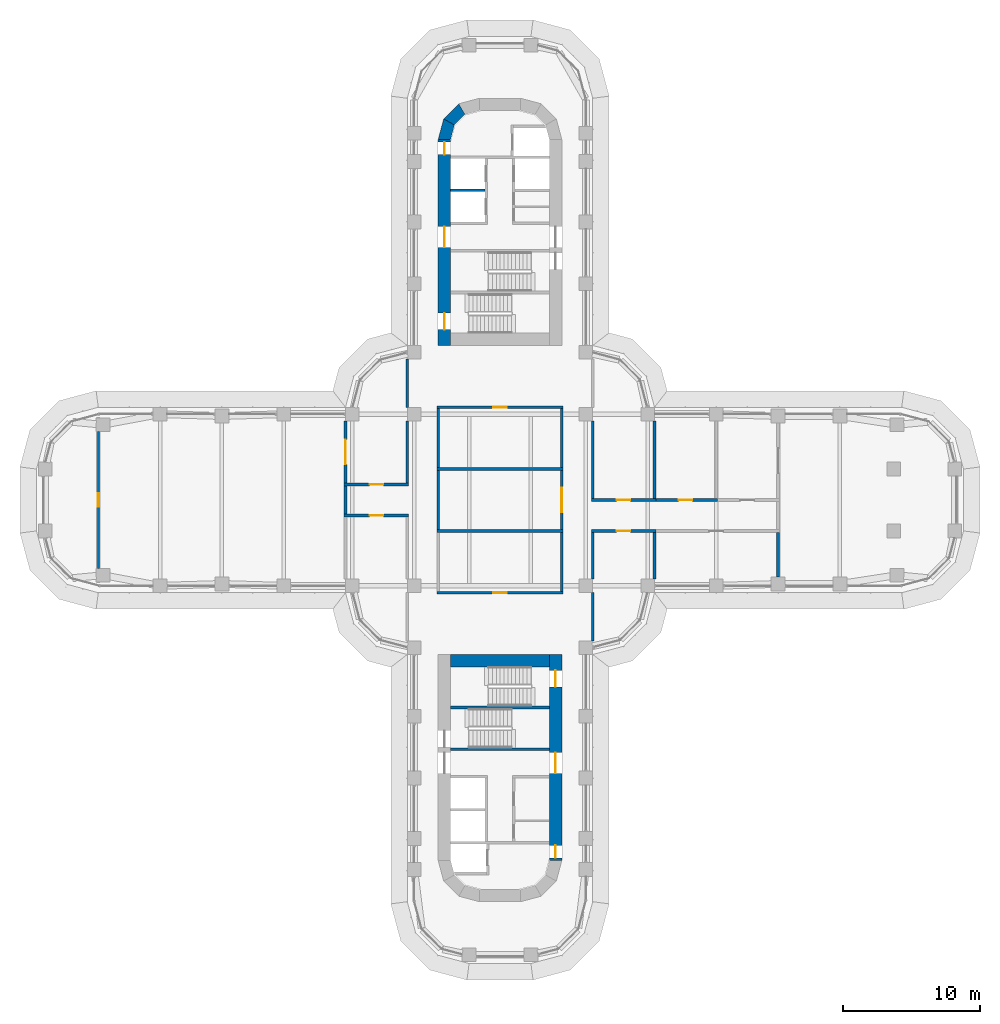
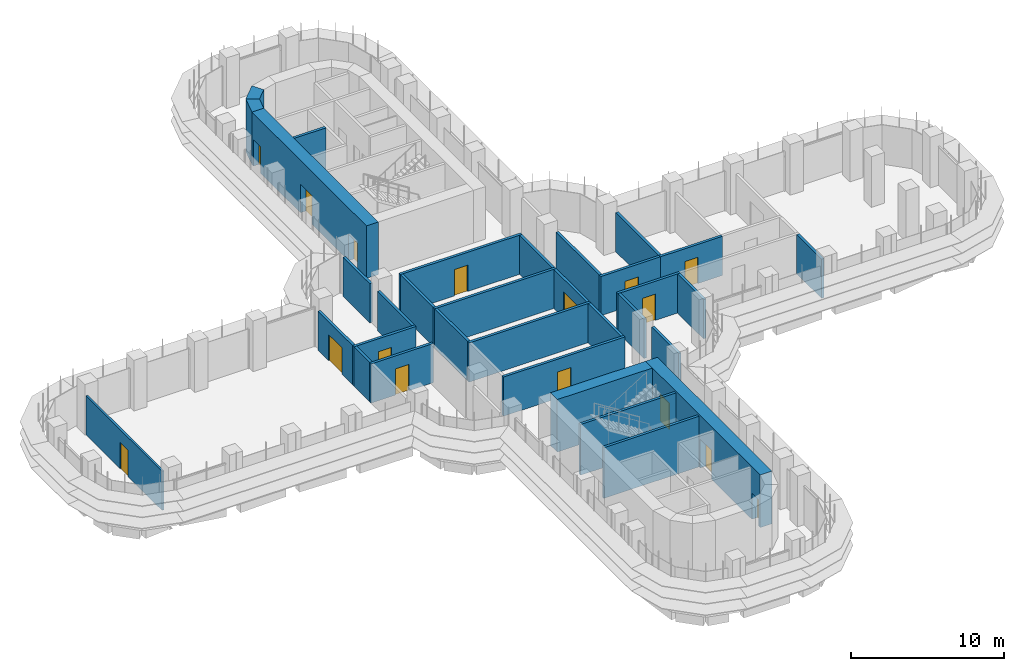
# One storey, part 17 of 23: 33 walls, 16 doors, 16 openings.
"""IFC4 building model written with IfcOpenShell, lengths in metres."""

import ifcopenshell
import ifcopenshell.guid

model = None  # the IFC model being written
_history = None  # IfcOwnerHistory: only IFC2X3 demands one
_inside = {}  # id of a spatial element -> (the spatial element, [elements in it])
_under = {}  # id of a project, library or spatial element -> (it, [spatial elements below it])
_declared = {}  # id of a project -> (the project, [libraries it declares])
_typed = {}  # id of a type object -> (the type object, [elements of that type])
_made_of = {}  # id of a material, layer set ... -> (it, [elements and type objects made of it])


def new_model(schema):
    """Start an empty IFC model of exactly this schema.

    Asked for "IFC4X3", IfcOpenShell would pick the latest addendum, in which some entities
    have other attributes; the version numbers below select the first issue.
    IFC2X3 requires an IfcOwnerHistory on every rooted entity: one is made here for all.
    """
    global model, _history
    if schema == "IFC4X3":
        model = ifcopenshell.file(schema_version=(4, 3, 0, 0))
    else:
        model = ifcopenshell.file(schema=schema)
    _inside.clear()
    _under.clear()
    _declared.clear()
    _typed.clear()
    _made_of.clear()
    _history = None
    if model.schema == "IFC2X3":
        org = make("IfcOrganization", Name="unknown")
        user = make(
            "IfcPersonAndOrganization",
            ThePerson=make("IfcPerson", FamilyName="unknown"),
            TheOrganization=org,
        )
        app = make(
            "IfcApplication",
            ApplicationDeveloper=org,
            Version="unknown",
            ApplicationFullName="unknown",
            ApplicationIdentifier="unknown",
        )
        _history = make(
            "IfcOwnerHistory",
            OwningUser=user,
            OwningApplication=app,
            ChangeAction="ADDED",
            CreationDate=0,
        )
    return model


def make(cls, **values):
    """One entity of the class cls with the attributes given. An attribute that is None is left unset."""
    return model.create_entity(
        cls, **{name: value for name, value in values.items() if value is not None}
    )


def rooted(cls, **values):
    """An entity with a GlobalId (a new one), such as an element, a storey or a relation."""
    return make(cls, GlobalId=ifcopenshell.guid.new(), OwnerHistory=_history, **values)


def si_unit(unit_type, name, prefix=None):
    """IfcSIUnit, for example si_unit("LENGTHUNIT", "METRE", prefix="MILLI")."""
    return make("IfcSIUnit", UnitType=unit_type, Prefix=prefix, Name=name)


def assignment(units):
    """IfcUnitAssignment: the units of a project."""
    return None if units is None else make("IfcUnitAssignment", Units=units)


def point(xyz):
    """IfcCartesianPoint."""
    return None if xyz is None else make("IfcCartesianPoint", Coordinates=xyz)


def direction(xyz):
    """IfcDirection."""
    return None if xyz is None else make("IfcDirection", DirectionRatios=xyz)


def frame(location, z_axis=None, x_axis=None):
    """IfcAxis2Placement3D, a coordinate frame: its origin and axes. An axis left out is left unset."""
    return make(
        "IfcAxis2Placement3D",
        Location=point(location),
        Axis=direction(z_axis),
        RefDirection=direction(x_axis),
    )


def frame_2d(location, x_axis=None):
    """IfcAxis2Placement2D, a coordinate frame in the plane: its origin and x axis."""
    return make(
        "IfcAxis2Placement2D", Location=point(location), RefDirection=direction(x_axis)
    )


def origin():
    """The frame at (0, 0, 0) with its axes left unset."""
    return frame((0.0, 0.0, 0.0))


def place(relative_to, where):
    """IfcLocalPlacement: puts the frame where relative to a parent placement (None: the world)."""
    return make(
        "IfcLocalPlacement", PlacementRelTo=relative_to, RelativePlacement=where
    )


def context(
    kind, dimensions, precision=None, world=None, true_north=None, identifier=None
):
    """IfcGeometricRepresentationContext, for example the 3D "Model" context."""
    return make(
        "IfcGeometricRepresentationContext",
        ContextIdentifier=identifier,
        ContextType=kind,
        CoordinateSpaceDimension=dimensions,
        Precision=precision,
        WorldCoordinateSystem=world,
        TrueNorth=true_north,
    )


def subcontext(parent, identifier, kind, view, scale=None):
    """IfcGeometricRepresentationSubContext, for example "Body" below "Model"."""
    return make(
        "IfcGeometricRepresentationSubContext",
        ContextIdentifier=identifier,
        ContextType=kind,
        ParentContext=parent,
        TargetScale=scale,
        TargetView=view,
    )


def project(units=None, contexts=None):
    """IfcProject with its units and contexts."""
    return rooted(
        "IfcProject",
        Name="project",
        RepresentationContexts=contexts,
        UnitsInContext=assignment(units),
    )


def spatial(cls, under=None, at=None, **own):
    """A site, building, storey or space (cls), placed at a placement, below another one or the project."""
    s = rooted(cls, ObjectPlacement=at, **own)
    if under is not None:
        _under.setdefault(under.id(), (under, []))[1].append(s)
    return s


def polyline(points):
    """IfcPolyline through the points."""
    return make("IfcPolyline", Points=[point(p) for p in points])


def profile(cls, at=None, kind="AREA", **sizes):
    """A parametric profile (cls). Its sizes go by their IFC names, for example OverallWidth=200.0."""
    return make(cls, ProfileType=kind, Position=at, **sizes)


def rectangle(**sizes):
    """IfcRectangleProfileDef."""
    return profile("IfcRectangleProfileDef", **sizes)


def outline(outer, holes=None, kind="AREA"):
    """IfcArbitraryClosedProfileDef: a profile drawn as a closed curve; with holes, ...WithVoids."""
    if holes is None:
        return make("IfcArbitraryClosedProfileDef", ProfileType=kind, OuterCurve=outer)
    return make(
        "IfcArbitraryProfileDefWithVoids",
        ProfileType=kind,
        OuterCurve=outer,
        InnerCurves=holes,
    )


def extrude(swept, where, along, depth):
    """IfcExtrudedAreaSolid: the profile swept, set in the frame where, extruded along a direction by depth."""
    return make(
        "IfcExtrudedAreaSolid",
        SweptArea=swept,
        Position=where,
        ExtrudedDirection=direction(along),
        Depth=depth,
    )


def shape(context_of_items, identifier, shape_type, items):
    """IfcShapeRepresentation: the items that make up one representation, for example the "Body"."""
    return make(
        "IfcShapeRepresentation",
        ContextOfItems=context_of_items,
        RepresentationIdentifier=identifier,
        RepresentationType=shape_type,
        Items=items,
    )


def material(Name=None, Category=None):
    """IfcMaterial."""
    return make("IfcMaterial", Name=Name, Category=Category)


def layer(
    of_material, thickness, ventilated=None, Name=None, Category=None, Priority=None
):
    """IfcMaterialLayer: one layer of a wall or slab, of a material (None: an air gap)."""
    return make(
        "IfcMaterialLayer",
        Material=of_material,
        LayerThickness=thickness,
        IsVentilated=ventilated,
        Name=Name,
        Category=Category,
        Priority=Priority,
    )


def layer_set(layers, Name=None):
    """IfcMaterialLayerSet."""
    return make("IfcMaterialLayerSet", MaterialLayers=layers, LayerSetName=Name)


def made_of(thing, what):
    """Note that an element or type object is made of a material, layer set ...; save() writes the relation."""
    if what is not None:
        _made_of.setdefault(what.id(), (what, []))[1].append(thing)
    return thing


def type_object(cls, material=None, **own):
    """A type object (cls), such as IfcWallType, which elements share."""
    return made_of(rooted(cls, **own), material)


def element(
    cls,
    number,
    at=None,
    inside=None,
    cuts=None,
    type_object=None,
    material=None,
    context=None,
    identifier="Body",
    shape_type=None,
    held_by="IfcProductDefinitionShape",
    body=None,
    shapes=None,
    **own,
):
    """One element of the class cls, such as IfcWall. Its Tag is "e" and its number.

    at: its placement. inside: the storey or other place that contains it. cuts: it is an
    opening in that element (IfcRelVoidsElement). A single representation is given by context,
    identifier, shape_type and body (its items); several are given by shapes. held_by: the class
    of the entity that holds the representations. save() writes the other relations.
    """
    e = rooted(cls, Tag="e%d" % number, ObjectPlacement=at, **own)
    if body is not None:
        shapes = [shape(context, identifier, shape_type, body)]
    if shapes is not None:
        e.Representation = make(held_by, Representations=shapes)
    if inside is not None:
        _inside.setdefault(inside.id(), (inside, []))[1].append(e)
    if cuts is not None:
        rooted(
            "IfcRelVoidsElement", RelatingBuildingElement=cuts, RelatedOpeningElement=e
        )
    if type_object is not None:
        _typed.setdefault(type_object.id(), (type_object, []))[1].append(e)
    return made_of(e, material)


def fill(opening, filler):
    """IfcRelFillsElement: the door or window that sits in an opening."""
    return rooted(
        "IfcRelFillsElement",
        RelatingOpeningElement=opening,
        RelatedBuildingElement=filler,
    )


def aggregate(whole, parts):
    """IfcRelAggregates: a whole, such as a stair, and the parts it consists of."""
    return rooted("IfcRelAggregates", RelatingObject=whole, RelatedObjects=parts)


def save(model, path):
    """Write the relations noted so far, then the file.

    IfcRelAggregates (storeys below a building ...), IfcRelContainedInSpatialStructure (elements
    in a storey), IfcRelDefinesByType, IfcRelAssociatesMaterial and IfcRelDeclares: one each for
    every whole, place, type object, material and project.
    """
    for whole, parts in _under.values():
        aggregate(whole, parts)
    for where, things in _inside.values():
        rooted(
            "IfcRelContainedInSpatialStructure",
            RelatedElements=things,
            RelatingStructure=where,
        )
    for kind, things in _typed.values():
        rooted("IfcRelDefinesByType", RelatedObjects=things, RelatingType=kind)
    for what, things in _made_of.values():
        rooted("IfcRelAssociatesMaterial", RelatedObjects=things, RelatingMaterial=what)
    for by, libraries in _declared.values():
        rooted("IfcRelDeclares", RelatingContext=by, RelatedDefinitions=libraries)
    model.write(path)


model = new_model("IFC4")

# Units and contexts
model_context = context("Model", 3, precision=1e-05, world=origin(), true_north=direction((0.0, 1.0)))
body_context = subcontext(model_context, "Body", "Model", "MODEL_VIEW")
ifc_project = project(units=[si_unit("LENGTHUNIT", "METRE"), si_unit("AREAUNIT", "SQUARE_METRE"), si_unit("VOLUMEUNIT", "CUBIC_METRE"), si_unit("PLANEANGLEUNIT", "RADIAN"), si_unit("MASSUNIT", "GRAM", prefix="KILO")], contexts=[model_context])

# Site, building, storey
site_placement = place(None, origin())
site = spatial("IfcSite", under=ifc_project, at=site_placement, CompositionType="ELEMENT")
building_placement = place(site_placement, origin())
building = spatial("IfcBuilding", under=site, at=building_placement, Name="Zarbagh Exchange Tower", CompositionType="ELEMENT")
storey_placement = place(building_placement, frame((0.0, 0.0, 77.39990234375)))
storey = spatial("IfcBuildingStorey", under=building, at=storey_placement, Name="L17", CompositionType="ELEMENT", Elevation=77.39990234375)

# Wall, opening, door
ifc_material_1 = material(Name="Plasterboard partition")
ifc_layer_1 = layer(ifc_material_1, 0.14990234375)
ifc_layer_set_1 = layer_set([ifc_layer_1], Name="PARTITION 150")
wall_type_1 = type_object("IfcWallType", Name="PARTITION 150", PredefinedType="PARTITIONING", material=ifc_layer_set_1)
wall_1_placement = place(storey_placement, frame((-29.25, -4.97509765625, 0.0), z_axis=(0.0, 0.0, 1.0), x_axis=(0.0, 1.0, 0.0)))
wall_1 = element("IfcWall", 1, at=wall_1_placement, inside=storey, type_object=wall_type_1, Name="Partition W-535", PredefinedType="PARTITIONING", context=body_context, shape_type="SweptSolid", body=[
    extrude(rectangle(XDim=9.9501953125, YDim=0.14990234375, at=frame_2d((4.97509765625, 0.0))), origin(), (0.0, 0.0, 1.0), 3.130615234375),
])
opening_1_placement = place(wall_1_placement, frame((4.47509765625, 0.0, 0.0)))
opening_1 = element("IfcOpeningElement", 2, at=opening_1_placement, cuts=wall_1, Name="Opening D-510", PredefinedType="OPENING", context=body_context, shape_type="SweptSolid", body=[
    extrude(rectangle(XDim=1.0, YDim=2.10009765625, at=frame_2d((0.5, 1.050048828125))), frame((0.0, 0.0849609375, 0.0), z_axis=(0.0, -1.0, 0.0), x_axis=(1.0, 0.0, 0.0)), (0.0, 0.0, 1.0), 0.169921875),
])
ifc_material_2 = material(Name="Timber door leaf", Category="wood")
door_type_1 = type_object("IfcDoorType", Name="DOOR 1000 X 2100", OperationType="NOTDEFINED", PredefinedType="DOOR", material=ifc_material_2)
door_1_placement = place(opening_1_placement, origin())
door_1 = element("IfcDoor", 3, at=door_1_placement, inside=storey, type_object=door_type_1, Name="Door D-510", OperationType="SINGLE_SWING_RIGHT", OverallHeight=2.10009765625, OverallWidth=1.0, PredefinedType="DOOR", context=body_context, shape_type="SweptSolid", body=[
    extrude(rectangle(XDim=1.0, YDim=2.10009765625, at=frame_2d((0.5, 1.050048828125))), frame((0.0, 0.02490234375, 0.0), z_axis=(0.0, -1.0, 0.0), x_axis=(1.0, 0.0, 0.0)), (0.0, 0.0, 1.0), 0.050048828125),
])
fill(opening_1, door_1)

# Walls
ifc_material_3 = material(Name="Fire-rated plasterboard partition")
ifc_layer_2 = layer(ifc_material_3, 0.199951171875)
ifc_layer_set_2 = layer_set([ifc_layer_2], Name="RATED PARTITION 200")
wall_type_2 = type_object("IfcWallType", Name="RATED PARTITION 200", PredefinedType="PARTITIONING", material=ifc_layer_set_2)
for number, where, z_axis, x_axis, name in (
    (4, (-4.5, 2.35009765625, 0.0), (0.0, 0.0, 1.0), (0.0, 1.0, 0.0), "Partition W-501"),
    (5, (-4.5, -2.14990234375, 0.0), (0.0, 0.0, 1.0), (0.0, 1.0, 0.0), "Partition W-502"),
):
    element("IfcWall", number, at=place(storey_placement, frame(where, z_axis=z_axis, x_axis=x_axis)), inside=storey, type_object=wall_type_2, Name=name, PredefinedType="PARTITIONING", context=body_context, shape_type="SweptSolid", body=[
        extrude(rectangle(XDim=4.2998046875, YDim=0.199951171875, at=frame_2d((2.14990234375, 0.0))), origin(), (0.0, 0.0, 1.0), 3.130615234375),
    ])
wall_2_placement = place(storey_placement, frame((-6.75, 1.22509765625, 0.0), z_axis=(0.0, 0.0, 1.0), x_axis=(0.0, 1.0, 0.0)))
element("IfcWall", 6, at=wall_2_placement, inside=storey, type_object=wall_type_2, Name="Partition W-504", PredefinedType="PARTITIONING", context=body_context, shape_type="SweptSolid", body=[
    extrude(rectangle(XDim=4.52490234375, YDim=0.199951171875, at=frame_2d((2.262451171875, 0.0))), origin(), (0.0, 0.0, 1.0), 3.130615234375),
])
wall_3_placement = place(storey_placement, frame((-6.75, 6.75, 0.0), z_axis=(0.0, 0.0, 1.0), x_axis=(0.0, 1.0, 0.0)))
element("IfcWall", 7, at=wall_3_placement, inside=storey, type_object=wall_type_2, Name="Partition W-505", PredefinedType="PARTITIONING", context=body_context, shape_type="SweptSolid", body=[
    extrude(rectangle(XDim=3.5, YDim=0.199951171875, at=frame_2d((1.75, 0.0))), origin(), (0.0, 0.0, 1.0), 3.130615234375),
])
wall_4_placement = place(storey_placement, frame((4.5, 2.35009765625, 0.0), z_axis=(0.0, 0.0, 1.0), x_axis=(0.0, 1.0, 0.0)))
element("IfcWall", 8, at=wall_4_placement, inside=storey, type_object=wall_type_2, Name="Partition W-508", PredefinedType="PARTITIONING", context=body_context, shape_type="SweptSolid", body=[
    extrude(rectangle(XDim=4.2998046875, YDim=0.199951171875, at=frame_2d((2.14990234375, 0.0))), origin(), (0.0, 0.0, 1.0), 3.130615234375),
])

# Wall, opening, door
wall_5_placement = place(storey_placement, frame((4.5, -2.14990234375, 0.0), z_axis=(0.0, 0.0, 1.0), x_axis=(0.0, 1.0, 0.0)))
wall_5 = element("IfcWall", 9, at=wall_5_placement, inside=storey, type_object=wall_type_2, Name="Partition W-509", PredefinedType="PARTITIONING", context=body_context, shape_type="SweptSolid", body=[
    extrude(rectangle(XDim=4.2998046875, YDim=0.199951171875, at=frame_2d((2.14990234375, 0.0))), origin(), (0.0, 0.0, 1.0), 3.130615234375),
])
opening_2_placement = place(wall_5_placement, frame((1.25, 0.0, 0.0)))
opening_2 = element("IfcOpeningElement", 10, at=opening_2_placement, cuts=wall_5, Name="Opening D-501", PredefinedType="OPENING", context=body_context, shape_type="SweptSolid", body=[
    extrude(rectangle(XDim=1.800048828125, YDim=2.10009765625, at=frame_2d((0.89990234375, 1.050048828125))), frame((0.0, 0.10986328125, 0.0), z_axis=(0.0, -1.0, 0.0), x_axis=(1.0, 0.0, 0.0)), (0.0, 0.0, 1.0), 0.219970703125),
])
ifc_material_4 = material(Name="Steel door set", Category="steel")
door_type_2 = type_object("IfcDoorType", Name="FIRE DOUBLE DOOR 1800 X 2100 FD30S", OperationType="DOUBLE_DOOR_SINGLE_SWING", PredefinedType="DOOR", material=ifc_material_4)
door_2_placement = place(opening_2_placement, origin())
door_2 = element("IfcDoor", 11, at=door_2_placement, inside=storey, type_object=door_type_2, Name="Door D-501", OperationType="DOUBLE_DOOR_SINGLE_SWING", OverallHeight=2.10009765625, OverallWidth=1.800048828125, PredefinedType="DOOR", context=body_context, shape_type="SweptSolid", body=[
    extrude(rectangle(XDim=1.800048828125, YDim=2.10009765625, at=frame_2d((0.89990234375, 1.050048828125))), frame((0.0, 0.02490234375, 0.0), z_axis=(0.0, -1.0, 0.0), x_axis=(1.0, 0.0, 0.0)), (0.0, 0.0, 1.0), 0.050048828125),
])
fill(opening_2, door_2)

# Walls
wall_6_placement = place(storey_placement, frame((4.5, -6.64990234375, 0.0), z_axis=(0.0, 0.0, 1.0), x_axis=(0.0, 1.0, 0.0)))
element("IfcWall", 12, at=wall_6_placement, inside=storey, type_object=wall_type_2, Name="Partition W-510", PredefinedType="PARTITIONING", context=body_context, shape_type="SweptSolid", body=[
    extrude(rectangle(XDim=4.2998046875, YDim=0.199951171875, at=frame_2d((2.14990234375, 0.0))), origin(), (0.0, 0.0, 1.0), 3.130615234375),
])
wall_7_placement = place(storey_placement, frame((6.75, 0.10009765625, 0.0), z_axis=(0.0, 0.0, 1.0), x_axis=(0.0, 1.0, 0.0)))
element("IfcWall", 13, at=wall_7_placement, inside=storey, type_object=wall_type_2, Name="Partition W-511", PredefinedType="PARTITIONING", context=body_context, shape_type="SweptSolid", body=[
    extrude(rectangle(XDim=5.64990234375, YDim=0.199951171875, at=frame_2d((2.824951171875, 0.0))), origin(), (0.0, 0.0, 1.0), 3.130615234375),
])
wall_8_placement = place(storey_placement, frame((6.75, -10.25, 0.0), z_axis=(0.0, 0.0, 1.0), x_axis=(0.0, 1.0, 0.0)))
element("IfcWall", 14, at=wall_8_placement, inside=storey, type_object=wall_type_2, Name="Partition W-513", PredefinedType="PARTITIONING", context=body_context, shape_type="SweptSolid", body=[
    extrude(rectangle(XDim=3.5, YDim=0.199951171875, at=frame_2d((1.75, 0.0))), origin(), (0.0, 0.0, 1.0), 3.130615234375),
])
wall_9_placement = place(storey_placement, frame((6.75, -5.75, 0.0), z_axis=(0.0, 0.0, 1.0), x_axis=(0.0, 1.0, 0.0)))
element("IfcWall", 15, at=wall_9_placement, inside=storey, type_object=wall_type_2, Name="Partition W-514", PredefinedType="PARTITIONING", context=body_context, shape_type="SweptSolid", body=[
    extrude(rectangle(XDim=3.39990234375, YDim=0.199951171875, at=frame_2d((1.699951171875, 0.0))), origin(), (0.0, 0.0, 1.0), 3.130615234375),
])

# Wall, opening, door
wall_10_placement = place(storey_placement, frame((4.60009765625, 6.75, 0.0), z_axis=(0.0, 0.0, 1.0), x_axis=(-1.0, 0.0, 0.0)))
wall_10 = element("IfcWall", 16, at=wall_10_placement, inside=storey, type_object=wall_type_2, Name="Partition W-515", PredefinedType="PARTITIONING", context=body_context, shape_type="SweptSolid", body=[
    extrude(rectangle(XDim=9.2001953125, YDim=0.199951171875, at=frame_2d((4.60009765625, 0.0))), origin(), (0.0, 0.0, 1.0), 3.130615234375),
])
opening_3_placement = place(wall_10_placement, frame((4.10009765625, 0.0, 0.0)))
opening_3 = element("IfcOpeningElement", 17, at=opening_3_placement, cuts=wall_10, Name="Opening D-502", PredefinedType="OPENING", context=body_context, shape_type="SweptSolid", body=[
    extrude(rectangle(XDim=1.0, YDim=2.10009765625, at=frame_2d((0.5, 1.050048828125))), frame((0.0, 0.10986328125, 0.0), z_axis=(0.0, -1.0, 0.0), x_axis=(1.0, 0.0, 0.0)), (0.0, 0.0, 1.0), 0.219970703125),
])
door_type_3 = type_object("IfcDoorType", Name="FIRE DOOR 1000 X 2100 FD30S", OperationType="NOTDEFINED", PredefinedType="DOOR", material=ifc_material_4)
door_3_placement = place(opening_3_placement, origin())
door_3 = element("IfcDoor", 18, at=door_3_placement, inside=storey, type_object=door_type_3, Name="Door D-502", OperationType="SINGLE_SWING_RIGHT", OverallHeight=2.10009765625, OverallWidth=1.0, PredefinedType="DOOR", context=body_context, shape_type="SweptSolid", body=[
    extrude(rectangle(XDim=1.0, YDim=2.10009765625, at=frame_2d((0.5, 1.050048828125))), frame((0.0, 0.02490234375, 0.0), z_axis=(0.0, -1.0, 0.0), x_axis=(1.0, 0.0, 0.0)), (0.0, 0.0, 1.0), 0.050048828125),
])
fill(opening_3, door_3)

wall_11_placement = place(storey_placement, frame((-4.60009765625, -6.75, 0.0), z_axis=(0.0, 0.0, 1.0), x_axis=(1.0, 0.0, 0.0)))
wall_11 = element("IfcWall", 19, at=wall_11_placement, inside=storey, type_object=wall_type_2, Name="Partition W-516", PredefinedType="PARTITIONING", context=body_context, shape_type="SweptSolid", body=[
    extrude(rectangle(XDim=9.2001953125, YDim=0.199951171875, at=frame_2d((4.60009765625, 0.0))), origin(), (0.0, 0.0, 1.0), 3.130615234375),
])
opening_4_placement = place(wall_11_placement, frame((4.10009765625, 0.0, 0.0)))
opening_4 = element("IfcOpeningElement", 20, at=opening_4_placement, cuts=wall_11, Name="Opening D-503", PredefinedType="OPENING", context=body_context, shape_type="SweptSolid", body=[
    extrude(rectangle(XDim=1.0, YDim=2.10009765625, at=frame_2d((0.5, 1.050048828125))), frame((0.0, 0.10986328125, 0.0), z_axis=(0.0, -1.0, 0.0), x_axis=(1.0, 0.0, 0.0)), (0.0, 0.0, 1.0), 0.219970703125),
])
door_4_placement = place(opening_4_placement, origin())
door_4 = element("IfcDoor", 21, at=door_4_placement, inside=storey, type_object=door_type_3, Name="Door D-503", OperationType="SINGLE_SWING_RIGHT", OverallHeight=2.10009765625, OverallWidth=1.0, PredefinedType="DOOR", context=body_context, shape_type="SweptSolid", body=[
    extrude(rectangle(XDim=1.0, YDim=2.10009765625, at=frame_2d((0.5, 1.050048828125))), frame((0.0, 0.02490234375, 0.0), z_axis=(0.0, -1.0, 0.0), x_axis=(1.0, 0.0, 0.0)), (0.0, 0.0, 1.0), 0.050048828125),
])
fill(opening_4, door_4)

# Walls
for number, where, z_axis, x_axis, name in (
    (22, (-4.60009765625, 2.25, 0.0), (0.0, 0.0, 1.0), (1.0, 0.0, 0.0), "Partition W-517"),
    (23, (-4.60009765625, -2.25, 0.0), (0.0, 0.0, 1.0), (1.0, 0.0, 0.0), "Partition W-518"),
):
    element("IfcWall", number, at=place(storey_placement, frame(where, z_axis=z_axis, x_axis=x_axis)), inside=storey, type_object=wall_type_2, Name=name, PredefinedType="PARTITIONING", context=body_context, shape_type="SweptSolid", body=[
        extrude(rectangle(XDim=9.2001953125, YDim=0.199951171875, at=frame_2d((4.60009765625, 0.0))), origin(), (0.0, 0.0, 1.0), 3.130615234375),
    ])

# Wall, opening, door
wall_12_placement = place(storey_placement, frame((6.64990234375, 0.0, 0.0), z_axis=(0.0, 0.0, 1.0), x_axis=(1.0, 0.0, 0.0)))
wall_12 = element("IfcWall", 24, at=wall_12_placement, inside=storey, type_object=wall_type_2, Name="Partition W-519", PredefinedType="PARTITIONING", context=body_context, shape_type="SweptSolid", body=[
    extrude(rectangle(XDim=4.7001953125, YDim=0.199951171875, at=frame_2d((2.35009765625, 0.0))), origin(), (0.0, 0.0, 1.0), 3.130615234375),
])
opening_5_placement = place(wall_12_placement, frame((1.85009765625, 0.0, 0.0)))
opening_5 = element("IfcOpeningElement", 25, at=opening_5_placement, cuts=wall_12, Name="Opening D-505", PredefinedType="OPENING", context=body_context, shape_type="SweptSolid", body=[
    extrude(rectangle(XDim=1.0, YDim=2.10009765625, at=frame_2d((0.5, 1.050048828125))), frame((0.0, 0.10986328125, 0.0), z_axis=(0.0, -1.0, 0.0), x_axis=(1.0, 0.0, 0.0)), (0.0, 0.0, 1.0), 0.219970703125),
])
door_5_placement = place(opening_5_placement, origin())
door_5 = element("IfcDoor", 26, at=door_5_placement, inside=storey, type_object=door_type_3, Name="Door D-505", OperationType="SINGLE_SWING_RIGHT", OverallHeight=2.10009765625, OverallWidth=1.0, PredefinedType="DOOR", context=body_context, shape_type="SweptSolid", body=[
    extrude(rectangle(XDim=1.0, YDim=2.10009765625, at=frame_2d((0.5, 1.050048828125))), frame((0.0, 0.02490234375, 0.0), z_axis=(0.0, -1.0, 0.0), x_axis=(1.0, 0.0, 0.0)), (0.0, 0.0, 1.0), 0.050048828125),
])
fill(opening_5, door_5)

wall_13_placement = place(storey_placement, frame((11.35009765625, -2.25, 0.0), z_axis=(0.0, 0.0, 1.0), x_axis=(-1.0, 0.0, 0.0)))
wall_13 = element("IfcWall", 27, at=wall_13_placement, inside=storey, type_object=wall_type_2, Name="Partition W-520", PredefinedType="PARTITIONING", context=body_context, shape_type="SweptSolid", body=[
    extrude(rectangle(XDim=4.7001953125, YDim=0.199951171875, at=frame_2d((2.35009765625, 0.0))), origin(), (0.0, 0.0, 1.0), 3.130615234375),
])
opening_6_placement = place(wall_13_placement, frame((1.85009765625, 0.0, 0.0)))
opening_6 = element("IfcOpeningElement", 28, at=opening_6_placement, cuts=wall_13, Name="Opening D-508", PredefinedType="OPENING", context=body_context, shape_type="SweptSolid", body=[
    extrude(rectangle(XDim=1.0, YDim=2.10009765625, at=frame_2d((0.5, 1.050048828125))), frame((0.0, 0.10986328125, 0.0), z_axis=(0.0, -1.0, 0.0), x_axis=(1.0, 0.0, 0.0)), (0.0, 0.0, 1.0), 0.219970703125),
])
door_6_placement = place(opening_6_placement, origin())
door_6 = element("IfcDoor", 29, at=door_6_placement, inside=storey, type_object=door_type_3, Name="Door D-508", OperationType="SINGLE_SWING_RIGHT", OverallHeight=2.10009765625, OverallWidth=1.0, PredefinedType="DOOR", context=body_context, shape_type="SweptSolid", body=[
    extrude(rectangle(XDim=1.0, YDim=2.10009765625, at=frame_2d((0.5, 1.050048828125))), frame((0.0, 0.02490234375, 0.0), z_axis=(0.0, -1.0, 0.0), x_axis=(1.0, 0.0, 0.0)), (0.0, 0.0, 1.0), 0.050048828125),
])
fill(opening_6, door_6)

wall_14_placement = place(storey_placement, frame((11.14990234375, 0.0, 0.0), z_axis=(0.0, 0.0, 1.0), x_axis=(1.0, 0.0, 0.0)))
wall_14 = element("IfcWall", 30, at=wall_14_placement, inside=storey, type_object=wall_type_2, Name="Partition W-521", PredefinedType="PARTITIONING", context=body_context, shape_type="SweptSolid", body=[
    extrude(rectangle(XDim=4.7001953125, YDim=0.199951171875, at=frame_2d((2.35009765625, 0.0))), origin(), (0.0, 0.0, 1.0), 3.130615234375),
])
opening_7_placement = place(wall_14_placement, frame((1.85009765625, 0.0, 0.0)))
opening_7 = element("IfcOpeningElement", 31, at=opening_7_placement, cuts=wall_14, Name="Opening D-506", PredefinedType="OPENING", context=body_context, shape_type="SweptSolid", body=[
    extrude(rectangle(XDim=1.0, YDim=2.10009765625, at=frame_2d((0.5, 1.050048828125))), frame((0.0, 0.10986328125, 0.0), z_axis=(0.0, -1.0, 0.0), x_axis=(1.0, 0.0, 0.0)), (0.0, 0.0, 1.0), 0.219970703125),
])
door_7_placement = place(opening_7_placement, origin())
door_7 = element("IfcDoor", 32, at=door_7_placement, inside=storey, type_object=door_type_3, Name="Door D-506", OperationType="SINGLE_SWING_RIGHT", OverallHeight=2.10009765625, OverallWidth=1.0, PredefinedType="DOOR", context=body_context, shape_type="SweptSolid", body=[
    extrude(rectangle(XDim=1.0, YDim=2.10009765625, at=frame_2d((0.5, 1.050048828125))), frame((0.0, 0.02490234375, 0.0), z_axis=(0.0, -1.0, 0.0), x_axis=(1.0, 0.0, 0.0)), (0.0, 0.0, 1.0), 0.050048828125),
])
fill(opening_7, door_7)

# Walls
wall_15_placement = place(storey_placement, frame((11.25, 0.10009765625, 0.0), z_axis=(0.0, 0.0, 1.0), x_axis=(0.0, 1.0, 0.0)))
element("IfcWall", 33, at=wall_15_placement, inside=storey, type_object=wall_type_2, Name="Partition W-525", PredefinedType="PARTITIONING", context=body_context, shape_type="SweptSolid", body=[
    extrude(rectangle(XDim=5.64990234375, YDim=0.199951171875, at=frame_2d((2.824951171875, 0.0))), origin(), (0.0, 0.0, 1.0), 3.130615234375),
])
wall_16_placement = place(storey_placement, frame((11.25, -5.75, 0.0), z_axis=(0.0, 0.0, 1.0), x_axis=(0.0, 1.0, 0.0)))
element("IfcWall", 34, at=wall_16_placement, inside=storey, type_object=wall_type_2, Name="Partition W-526", PredefinedType="PARTITIONING", context=body_context, shape_type="SweptSolid", body=[
    extrude(rectangle(XDim=3.39990234375, YDim=0.199951171875, at=frame_2d((1.699951171875, 0.0))), origin(), (0.0, 0.0, 1.0), 3.130615234375),
])
wall_17_placement = place(storey_placement, frame((20.25, -5.610107421875, 0.0), z_axis=(0.0, 0.0, 1.0), x_axis=(0.0, 1.0, 0.0)))
element("IfcWall", 35, at=wall_17_placement, inside=storey, type_object=wall_type_2, Name="Partition W-529", PredefinedType="PARTITIONING", context=body_context, shape_type="SweptSolid", body=[
    extrude(rectangle(XDim=3.260009765625, YDim=0.199951171875, at=frame_2d((1.6298828125, 0.0))), origin(), (0.0, 0.0, 1.0), 3.130615234375),
])

# Wall, opening, door
wall_18_placement = place(storey_placement, frame((-11.35009765625, 1.125, 0.0), z_axis=(0.0, 0.0, 1.0), x_axis=(1.0, 0.0, 0.0)))
wall_18 = element("IfcWall", 36, at=wall_18_placement, inside=storey, type_object=wall_type_2, Name="Partition W-530", PredefinedType="PARTITIONING", context=body_context, shape_type="SweptSolid", body=[
    extrude(rectangle(XDim=4.7001953125, YDim=0.199951171875, at=frame_2d((2.35009765625, 0.0))), origin(), (0.0, 0.0, 1.0), 3.130615234375),
])
opening_8_placement = place(wall_18_placement, frame((1.85009765625, 0.0, 0.0)))
opening_8 = element("IfcOpeningElement", 37, at=opening_8_placement, cuts=wall_18, Name="Opening D-512", PredefinedType="OPENING", context=body_context, shape_type="SweptSolid", body=[
    extrude(rectangle(XDim=1.0, YDim=2.10009765625, at=frame_2d((0.5, 1.050048828125))), frame((0.0, 0.10986328125, 0.0), z_axis=(0.0, -1.0, 0.0), x_axis=(1.0, 0.0, 0.0)), (0.0, 0.0, 1.0), 0.219970703125),
])
door_8_placement = place(opening_8_placement, origin())
door_8 = element("IfcDoor", 38, at=door_8_placement, inside=storey, type_object=door_type_3, Name="Door D-512", OperationType="SINGLE_SWING_RIGHT", OverallHeight=2.10009765625, OverallWidth=1.0, PredefinedType="DOOR", context=body_context, shape_type="SweptSolid", body=[
    extrude(rectangle(XDim=1.0, YDim=2.10009765625, at=frame_2d((0.5, 1.050048828125))), frame((0.0, 0.02490234375, 0.0), z_axis=(0.0, -1.0, 0.0), x_axis=(1.0, 0.0, 0.0)), (0.0, 0.0, 1.0), 0.050048828125),
])
fill(opening_8, door_8)

wall_19_placement = place(storey_placement, frame((-6.64990234375, -1.125, 0.0), z_axis=(0.0, 0.0, 1.0), x_axis=(-1.0, 0.0, 0.0)))
wall_19 = element("IfcWall", 39, at=wall_19_placement, inside=storey, type_object=wall_type_2, Name="Partition W-531", PredefinedType="PARTITIONING", context=body_context, shape_type="SweptSolid", body=[
    extrude(rectangle(XDim=4.7001953125, YDim=0.199951171875, at=frame_2d((2.35009765625, 0.0))), origin(), (0.0, 0.0, 1.0), 3.130615234375),
])
opening_9_placement = place(wall_19_placement, frame((1.85009765625, 0.0, 0.0)))
opening_9 = element("IfcOpeningElement", 40, at=opening_9_placement, cuts=wall_19, Name="Opening D-513", PredefinedType="OPENING", context=body_context, shape_type="SweptSolid", body=[
    extrude(rectangle(XDim=1.0, YDim=2.10009765625, at=frame_2d((0.5, 1.050048828125))), frame((0.0, 0.10986328125, 0.0), z_axis=(0.0, -1.0, 0.0), x_axis=(1.0, 0.0, 0.0)), (0.0, 0.0, 1.0), 0.219970703125),
])
door_9_placement = place(opening_9_placement, origin())
door_9 = element("IfcDoor", 41, at=door_9_placement, inside=storey, type_object=door_type_3, Name="Door D-513", OperationType="SINGLE_SWING_RIGHT", OverallHeight=2.10009765625, OverallWidth=1.0, PredefinedType="DOOR", context=body_context, shape_type="SweptSolid", body=[
    extrude(rectangle(XDim=1.0, YDim=2.10009765625, at=frame_2d((0.5, 1.050048828125))), frame((0.0, 0.02490234375, 0.0), z_axis=(0.0, -1.0, 0.0), x_axis=(1.0, 0.0, 0.0)), (0.0, 0.0, 1.0), 0.050048828125),
])
fill(opening_9, door_9)

# Wall
wall_20_placement = place(storey_placement, frame((-11.25, -1.02490234375, 0.0), z_axis=(0.0, 0.0, 1.0), x_axis=(0.0, 1.0, 0.0)))
element("IfcWall", 42, at=wall_20_placement, inside=storey, type_object=wall_type_2, Name="Partition W-532", PredefinedType="PARTITIONING", context=body_context, shape_type="SweptSolid", body=[
    extrude(rectangle(XDim=2.0498046875, YDim=0.199951171875, at=frame_2d((1.02490234375, 0.0))), origin(), (0.0, 0.0, 1.0), 3.130615234375),
])

# Wall, opening, door
wall_21_placement = place(storey_placement, frame((-11.25, 1.22509765625, 0.0), z_axis=(0.0, 0.0, 1.0), x_axis=(0.0, 1.0, 0.0)))
wall_21 = element("IfcWall", 43, at=wall_21_placement, inside=storey, type_object=wall_type_2, Name="Partition W-533", PredefinedType="PARTITIONING", context=body_context, shape_type="SweptSolid", body=[
    extrude(rectangle(XDim=4.52490234375, YDim=0.199951171875, at=frame_2d((2.262451171875, 0.0))), origin(), (0.0, 0.0, 1.0), 3.130615234375),
])
opening_10_placement = place(wall_21_placement, frame((1.362548828125, 0.0, 0.0)))
opening_10 = element("IfcOpeningElement", 44, at=opening_10_placement, cuts=wall_21, Name="Opening D-511", PredefinedType="OPENING", context=body_context, shape_type="SweptSolid", body=[
    extrude(rectangle(XDim=1.800048828125, YDim=2.10009765625, at=frame_2d((0.89990234375, 1.050048828125))), frame((0.0, 0.10986328125, 0.0), z_axis=(0.0, -1.0, 0.0), x_axis=(1.0, 0.0, 0.0)), (0.0, 0.0, 1.0), 0.219970703125),
])
door_10_placement = place(opening_10_placement, origin())
door_10 = element("IfcDoor", 45, at=door_10_placement, inside=storey, type_object=door_type_2, Name="Door D-511", OperationType="DOUBLE_DOOR_SINGLE_SWING", OverallHeight=2.10009765625, OverallWidth=1.800048828125, PredefinedType="DOOR", context=body_context, shape_type="SweptSolid", body=[
    extrude(rectangle(XDim=1.800048828125, YDim=2.10009765625, at=frame_2d((0.89990234375, 1.050048828125))), frame((0.0, 0.02490234375, 0.0), z_axis=(0.0, -1.0, 0.0), x_axis=(1.0, 0.0, 0.0)), (0.0, 0.0, 1.0), 0.050048828125),
])
fill(opening_10, door_10)

# Walls
ifc_material_5 = material(Name="Concrete C60/75", Category="concrete")
ifc_layer_3 = layer(ifc_material_5, 0.89990234375)
ifc_layer_set_3 = layer_set([ifc_layer_3], Name="RC core corner wall 900 C60/75")
wall_type_3 = type_object("IfcWallType", Name="RC core corner wall 900 C60/75", PredefinedType="SHEAR", material=ifc_layer_set_3)
wall_22_placement = place(storey_placement, origin())
element("IfcWall", 46, at=wall_22_placement, inside=storey, type_object=wall_type_3, Name="CW2 core N corner W", PredefinedType="SHEAR", context=body_context, shape_type="SweptSolid", body=[
    extrude(outline(polyline([(-4.5, 26.25), (-4.09814453125, 27.75), (-3.318603515625, 27.300048828125), (-3.60009765625, 26.25), (-4.5, 26.25)])), origin(), (0.0, 0.0, 1.0), 4.2001953125),
])
wall_23_placement = place(storey_placement, origin())
element("IfcWall", 47, at=wall_23_placement, inside=storey, type_object=wall_type_3, Name="CW2 core N corner W", PredefinedType="SHEAR", context=body_context, shape_type="SweptSolid", body=[
    extrude(outline(polyline([(-4.09814453125, 27.75), (-3.0, 28.84814453125), (-2.550048828125, 28.068603515625), (-3.318603515625, 27.300048828125), (-4.09814453125, 27.75)])), origin(), (0.0, 0.0, 1.0), 4.2001953125),
])

# Wall, openings, doors
ifc_layer_4 = layer(ifc_material_5, 0.89990234375)
ifc_layer_set_4 = layer_set([ifc_layer_4], Name="RC core wall 900 C60/75")
wall_type_4 = type_object("IfcWallType", Name="RC core wall 900 C60/75", PredefinedType="SHEAR", material=ifc_layer_set_4)
wall_24_placement = place(storey_placement, frame((-4.050048828125, 11.25, 0.0), z_axis=(0.0, 0.0, 1.0), x_axis=(0.0, 1.0, 0.0)))
wall_24 = element("IfcWall", 48, at=wall_24_placement, inside=storey, type_object=wall_type_4, Name="CW1 core N W", PredefinedType="SHEAR", context=body_context, shape_type="SweptSolid", body=[
    extrude(rectangle(XDim=15.0, YDim=0.89990234375, at=frame_2d((7.5, 0.0))), origin(), (0.0, 0.0, 1.0), 4.2001953125),
])
opening_11_placement = place(wall_24_placement, frame((7.14990234375, 0.0, 0.0)))
opening_11 = element("IfcOpeningElement", 49, at=opening_11_placement, cuts=wall_24, Name="Opening CD1-1500", PredefinedType="OPENING", context=body_context, shape_type="SweptSolid", body=[
    extrude(rectangle(XDim=1.5, YDim=2.300048828125, at=frame_2d((0.75, 1.14990234375))), frame((0.0, 0.4599609375, 0.0), z_axis=(0.0, -1.0, 0.0), x_axis=(1.0, 0.0, 0.0)), (0.0, 0.0, 1.0), 0.919921875),
])
opening_12_placement = place(wall_24_placement, frame((13.89990234375, 0.0, 0.0)))
opening_12 = element("IfcOpeningElement", 50, at=opening_12_placement, cuts=wall_24, Name="Opening CD2-900", PredefinedType="OPENING", context=body_context, shape_type="SweptSolid", body=[
    extrude(rectangle(XDim=0.89990234375, YDim=2.10009765625, at=frame_2d((0.449951171875, 1.050048828125))), frame((0.0, 0.4599609375, 0.0), z_axis=(0.0, -1.0, 0.0), x_axis=(1.0, 0.0, 0.0)), (0.0, 0.0, 1.0), 0.919921875),
])
opening_13_placement = place(wall_24_placement, frame((1.14990234375, 0.0, 0.0)))
opening_13 = element("IfcOpeningElement", 51, at=opening_13_placement, cuts=wall_24, Name="Opening SD1-1200", PredefinedType="OPENING", context=body_context, shape_type="SweptSolid", body=[
    extrude(rectangle(XDim=1.199951171875, YDim=2.10009765625, at=frame_2d((0.60009765625, 1.050048828125))), frame((0.0, 0.4599609375, 0.0), z_axis=(0.0, -1.0, 0.0), x_axis=(1.0, 0.0, 0.0)), (0.0, 0.0, 1.0), 0.919921875),
])
ifc_material_6 = material(Name="Steel", Category="steel")
door_type_4 = type_object("IfcDoorType", Name="Exit stair door 1200 x 2100", OperationType="NOTDEFINED", PredefinedType="DOOR", material=ifc_material_6)
door_11_placement = place(opening_13_placement, origin())
door_11 = element("IfcDoor", 52, at=door_11_placement, inside=storey, type_object=door_type_4, Name="North core stair door ST2", OperationType="SINGLE_SWING_LEFT", OverallHeight=2.10009765625, OverallWidth=1.199951171875, PredefinedType="DOOR", context=body_context, shape_type="SweptSolid", body=[
    extrude(rectangle(XDim=1.199951171875, YDim=2.10009765625, at=frame_2d((0.60009765625, 1.050048828125))), frame((0.0, 0.02490234375, 0.0), z_axis=(0.0, -1.0, 0.0), x_axis=(1.0, 0.0, 0.0)), (0.0, 0.0, 1.0), 0.050048828125),
])
fill(opening_13, door_11)
door_type_5 = type_object("IfcDoorType", Name="Firefighting lobby door 900 x 2100", OperationType="NOTDEFINED", PredefinedType="DOOR", material=ifc_material_6)
door_12_placement = place(opening_12_placement, origin())
door_12 = element("IfcDoor", 53, at=door_12_placement, inside=storey, type_object=door_type_5, Name="North core firefighting lobby door FF-W", OperationType="SINGLE_SWING_LEFT", OverallHeight=2.10009765625, OverallWidth=0.89990234375, PredefinedType="DOOR", context=body_context, shape_type="SweptSolid", body=[
    extrude(rectangle(XDim=0.89990234375, YDim=2.10009765625, at=frame_2d((0.449951171875, 1.050048828125))), frame((0.0, 0.02490234375, 0.0), z_axis=(0.0, -1.0, 0.0), x_axis=(1.0, 0.0, 0.0)), (0.0, 0.0, 1.0), 0.050048828125),
])
fill(opening_12, door_12)
door_type_6 = type_object("IfcDoorType", Name="Lift lobby double door 1500 x 2300", OperationType="NOTDEFINED", PredefinedType="DOOR", material=ifc_material_6)
door_13_placement = place(opening_11_placement, origin())
door_13 = element("IfcDoor", 54, at=door_13_placement, inside=storey, type_object=door_type_6, Name="North core lift lobby door LOBBY-W", OperationType="DOUBLE_DOOR_SINGLE_SWING", OverallHeight=2.300048828125, OverallWidth=1.5, PredefinedType="DOOR", context=body_context, shape_type="SweptSolid", body=[
    extrude(rectangle(XDim=1.5, YDim=2.300048828125, at=frame_2d((0.75, 1.14990234375))), frame((0.0, 0.02490234375, 0.0), z_axis=(0.0, -1.0, 0.0), x_axis=(1.0, 0.0, 0.0)), (0.0, 0.0, 1.0), 0.050048828125),
])
fill(opening_11, door_13)

wall_25_placement = place(storey_placement, frame((4.050048828125, -11.25, 0.0), z_axis=(0.0, 0.0, 1.0), x_axis=(0.0, -1.0, 0.0)))
wall_25 = element("IfcWall", 55, at=wall_25_placement, inside=storey, type_object=wall_type_4, Name="CW1 core S E", PredefinedType="SHEAR", context=body_context, shape_type="SweptSolid", body=[
    extrude(rectangle(XDim=15.0, YDim=0.89990234375, at=frame_2d((7.5, 0.0))), origin(), (0.0, 0.0, 1.0), 4.2001953125),
])
opening_14_placement = place(wall_25_placement, frame((7.14990234375, 0.0, 0.0)))
opening_14 = element("IfcOpeningElement", 56, at=opening_14_placement, cuts=wall_25, Name="Opening CD1-1500", PredefinedType="OPENING", context=body_context, shape_type="SweptSolid", body=[
    extrude(rectangle(XDim=1.5, YDim=2.300048828125, at=frame_2d((0.75, 1.14990234375))), frame((0.0, 0.4599609375, 0.0), z_axis=(0.0, -1.0, 0.0), x_axis=(1.0, 0.0, 0.0)), (0.0, 0.0, 1.0), 0.919921875),
])
opening_15_placement = place(wall_25_placement, frame((13.89990234375, 0.0, 0.0)))
opening_15 = element("IfcOpeningElement", 57, at=opening_15_placement, cuts=wall_25, Name="Opening CD2-900", PredefinedType="OPENING", context=body_context, shape_type="SweptSolid", body=[
    extrude(rectangle(XDim=0.89990234375, YDim=2.10009765625, at=frame_2d((0.449951171875, 1.050048828125))), frame((0.0, 0.4599609375, 0.0), z_axis=(0.0, -1.0, 0.0), x_axis=(1.0, 0.0, 0.0)), (0.0, 0.0, 1.0), 0.919921875),
])
opening_16_placement = place(wall_25_placement, frame((1.14990234375, 0.0, 0.0)))
opening_16 = element("IfcOpeningElement", 58, at=opening_16_placement, cuts=wall_25, Name="Opening SD1-1200", PredefinedType="OPENING", context=body_context, shape_type="SweptSolid", body=[
    extrude(rectangle(XDim=1.199951171875, YDim=2.10009765625, at=frame_2d((0.60009765625, 1.050048828125))), frame((0.0, 0.4599609375, 0.0), z_axis=(0.0, -1.0, 0.0), x_axis=(1.0, 0.0, 0.0)), (0.0, 0.0, 1.0), 0.919921875),
])
door_14_placement = place(opening_16_placement, origin())
door_14 = element("IfcDoor", 59, at=door_14_placement, inside=storey, type_object=door_type_4, Name="South core stair door ST2", OperationType="SINGLE_SWING_LEFT", OverallHeight=2.10009765625, OverallWidth=1.199951171875, PredefinedType="DOOR", context=body_context, shape_type="SweptSolid", body=[
    extrude(rectangle(XDim=1.199951171875, YDim=2.10009765625, at=frame_2d((0.60009765625, 1.050048828125))), frame((0.0, 0.02490234375, 0.0), z_axis=(0.0, -1.0, 0.0), x_axis=(1.0, 0.0, 0.0)), (0.0, 0.0, 1.0), 0.050048828125),
])
fill(opening_16, door_14)
door_15_placement = place(opening_15_placement, origin())
door_15 = element("IfcDoor", 60, at=door_15_placement, inside=storey, type_object=door_type_5, Name="South core firefighting lobby door FF-W", OperationType="SINGLE_SWING_RIGHT", OverallHeight=2.10009765625, OverallWidth=0.89990234375, PredefinedType="DOOR", context=body_context, shape_type="SweptSolid", body=[
    extrude(rectangle(XDim=0.89990234375, YDim=2.10009765625, at=frame_2d((0.449951171875, 1.050048828125))), frame((0.0, 0.02490234375, 0.0), z_axis=(0.0, -1.0, 0.0), x_axis=(1.0, 0.0, 0.0)), (0.0, 0.0, 1.0), 0.050048828125),
])
fill(opening_15, door_15)
door_16_placement = place(opening_14_placement, origin())
door_16 = element("IfcDoor", 61, at=door_16_placement, inside=storey, type_object=door_type_6, Name="South core lift lobby door LOBBY-W", OperationType="DOUBLE_DOOR_SINGLE_SWING", OverallHeight=2.300048828125, OverallWidth=1.5, PredefinedType="DOOR", context=body_context, shape_type="SweptSolid", body=[
    extrude(rectangle(XDim=1.5, YDim=2.300048828125, at=frame_2d((0.75, 1.14990234375))), frame((0.0, 0.02490234375, 0.0), z_axis=(0.0, -1.0, 0.0), x_axis=(1.0, 0.0, 0.0)), (0.0, 0.0, 1.0), 0.050048828125),
])
fill(opening_14, door_16)

# Walls
wall_26_placement = place(storey_placement, frame((-3.60009765625, -11.699951171875, 0.0), z_axis=(0.0, 0.0, 1.0), x_axis=(1.0, 0.0, 0.0)))
element("IfcWall", 62, at=wall_26_placement, inside=storey, type_object=wall_type_4, Name="CW1 core S inner end", PredefinedType="SHEAR", context=body_context, shape_type="SweptSolid", body=[
    extrude(rectangle(XDim=7.2001953125, YDim=0.89990234375, at=frame_2d((3.60009765625, 0.0))), origin(), (0.0, 0.0, 1.0), 4.2001953125),
])
ifc_material_7 = material(Name="Dense blockwork", Category="masonry")
ifc_layer_5 = layer(ifc_material_7, 0.199951171875)
ifc_layer_set_5 = layer_set([ifc_layer_5], Name="Shaft wall 200 mm blockwork")
wall_type_5 = type_object("IfcWallType", Name="Shaft wall 200 mm blockwork", PredefinedType="PARTITIONING", material=ifc_layer_set_5)
wall_27_placement = place(storey_placement, frame((-3.60009765625, 22.550048828125, 0.0), z_axis=(0.0, 0.0, 1.0), x_axis=(1.0, 0.0, 0.0)))
element("IfcWall", 63, at=wall_27_placement, inside=storey, type_object=wall_type_5, Name="North core shaft wall TR-W", PredefinedType="PARTITIONING", context=body_context, shape_type="SweptSolid", body=[
    extrude(rectangle(XDim=2.5, YDim=0.199951171875, at=frame_2d((1.25, 0.0))), origin(), (0.0, 0.0, 1.0), 4.050048828125),
])
ifc_material_8 = material(Name="Concrete C40/50", Category="concrete")
ifc_layer_6 = layer(ifc_material_8, 0.199951171875)
ifc_layer_set_6 = layer_set([ifc_layer_6], Name="Stair enclosure wall 200 mm RC C40/50")
wall_type_6 = type_object("IfcWallType", Name="Stair enclosure wall 200 mm RC C40/50", PredefinedType="SHEAR", material=ifc_layer_set_6)
for number, where, z_axis, x_axis, name in (
    (64, (3.60009765625, -18.14990234375, 0.0), (0.0, 0.0, 1.0), (-1.0, 0.0, 0.0), "South core stair wall BS"),
    (65, (3.60009765625, -15.10009765625, 0.0), (0.0, 0.0, 1.0), (-1.0, 0.0, 0.0), "South core stair wall ST12"),
):
    element("IfcWall", number, at=place(storey_placement, frame(where, z_axis=z_axis, x_axis=x_axis)), inside=storey, type_object=wall_type_6, Name=name, PredefinedType="SHEAR", context=body_context, shape_type="SweptSolid", body=[
        extrude(rectangle(XDim=7.2001953125, YDim=0.199951171875, at=frame_2d((3.60009765625, 0.0))), origin(), (0.0, 0.0, 1.0), 4.050048828125),
    ])

save(model, "model.ifc")
